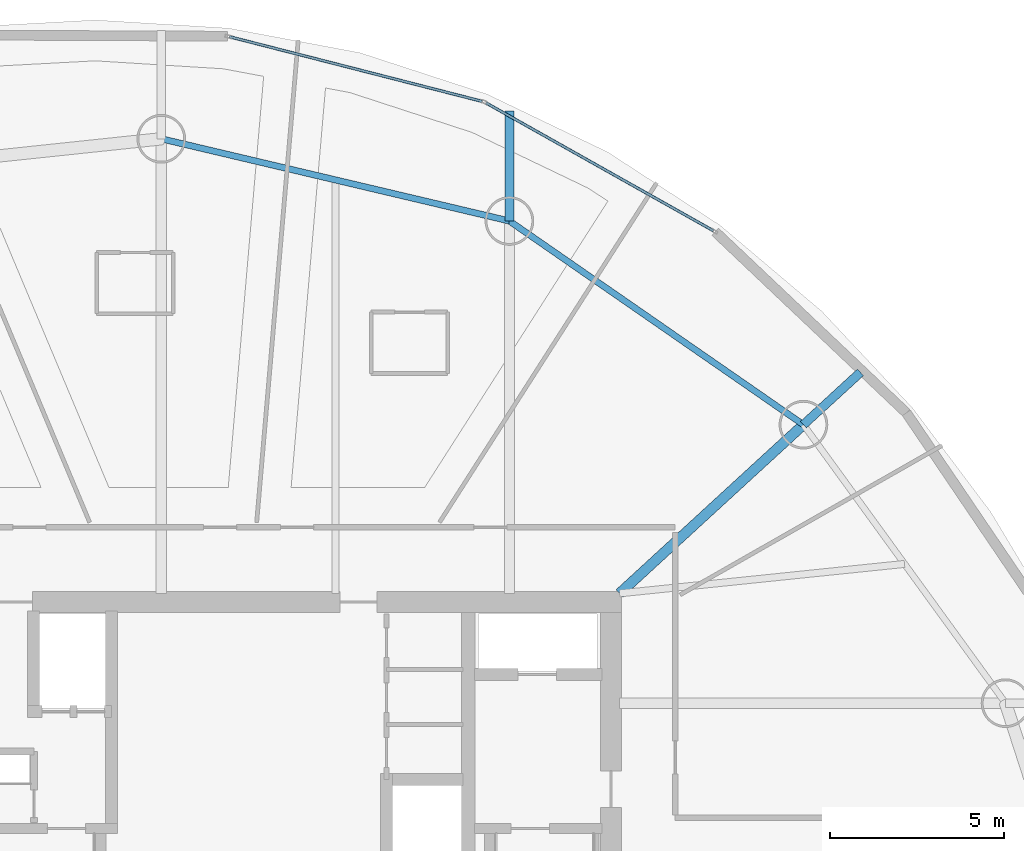
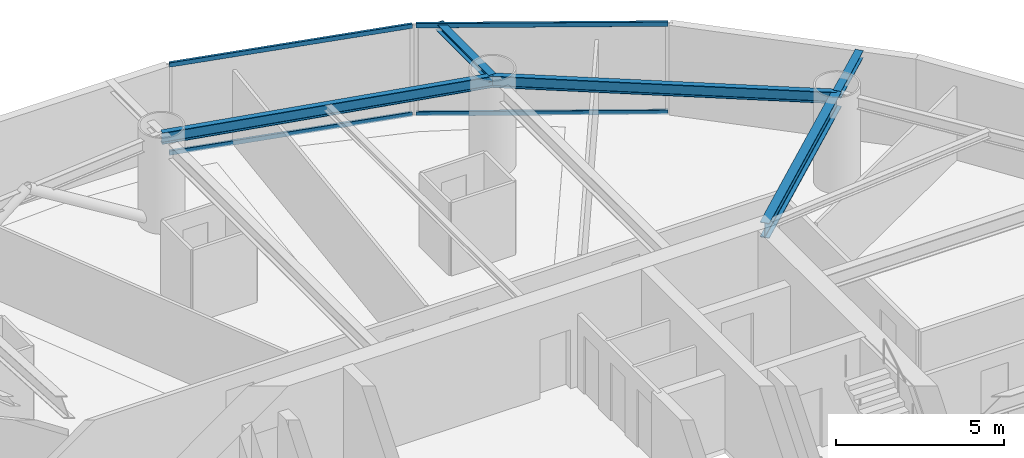
# One storey, part 13 of 22: 5 beams, 4 members, 2 elements without a shape of their own.
"""IFC4 building model written with IfcOpenShell, lengths in metres."""

import ifcopenshell
import ifcopenshell.guid

model = None  # the IFC model being written
_history = None  # IfcOwnerHistory: only IFC2X3 demands one
_inside = {}  # id of a spatial element -> (the spatial element, [elements in it])
_under = {}  # id of a project, library or spatial element -> (it, [spatial elements below it])
_declared = {}  # id of a project -> (the project, [libraries it declares])
_typed = {}  # id of a type object -> (the type object, [elements of that type])
_made_of = {}  # id of a material, layer set ... -> (it, [elements and type objects made of it])


def new_model(schema):
    """Start an empty IFC model of exactly this schema.

    Asked for "IFC4X3", IfcOpenShell would pick the latest addendum, in which some entities
    have other attributes; the version numbers below select the first issue.
    IFC2X3 requires an IfcOwnerHistory on every rooted entity: one is made here for all.
    """
    global model, _history
    if schema == "IFC4X3":
        model = ifcopenshell.file(schema_version=(4, 3, 0, 0))
    else:
        model = ifcopenshell.file(schema=schema)
    _inside.clear()
    _under.clear()
    _declared.clear()
    _typed.clear()
    _made_of.clear()
    _history = None
    if model.schema == "IFC2X3":
        org = make("IfcOrganization", Name="unknown")
        user = make(
            "IfcPersonAndOrganization",
            ThePerson=make("IfcPerson", FamilyName="unknown"),
            TheOrganization=org,
        )
        app = make(
            "IfcApplication",
            ApplicationDeveloper=org,
            Version="unknown",
            ApplicationFullName="unknown",
            ApplicationIdentifier="unknown",
        )
        _history = make(
            "IfcOwnerHistory",
            OwningUser=user,
            OwningApplication=app,
            ChangeAction="ADDED",
            CreationDate=0,
        )
    return model


def make(cls, **values):
    """One entity of the class cls with the attributes given. An attribute that is None is left unset."""
    return model.create_entity(
        cls, **{name: value for name, value in values.items() if value is not None}
    )


def rooted(cls, **values):
    """An entity with a GlobalId (a new one), such as an element, a storey or a relation."""
    return make(cls, GlobalId=ifcopenshell.guid.new(), OwnerHistory=_history, **values)


def si_unit(unit_type, name, prefix=None):
    """IfcSIUnit, for example si_unit("LENGTHUNIT", "METRE", prefix="MILLI")."""
    return make("IfcSIUnit", UnitType=unit_type, Prefix=prefix, Name=name)


def assignment(units):
    """IfcUnitAssignment: the units of a project."""
    return None if units is None else make("IfcUnitAssignment", Units=units)


def point(xyz):
    """IfcCartesianPoint."""
    return None if xyz is None else make("IfcCartesianPoint", Coordinates=xyz)


def direction(xyz):
    """IfcDirection."""
    return None if xyz is None else make("IfcDirection", DirectionRatios=xyz)


def frame(location, z_axis=None, x_axis=None):
    """IfcAxis2Placement3D, a coordinate frame: its origin and axes. An axis left out is left unset."""
    return make(
        "IfcAxis2Placement3D",
        Location=point(location),
        Axis=direction(z_axis),
        RefDirection=direction(x_axis),
    )


def frame_2d(location, x_axis=None):
    """IfcAxis2Placement2D, a coordinate frame in the plane: its origin and x axis."""
    return make(
        "IfcAxis2Placement2D", Location=point(location), RefDirection=direction(x_axis)
    )


def origin():
    """The frame at (0, 0, 0) with its axes left unset."""
    return frame((0.0, 0.0, 0.0))


def origin_2d():
    """The frame at (0, 0) in the plane with its x axis left unset."""
    return frame_2d((0.0, 0.0))


def place(relative_to, where):
    """IfcLocalPlacement: puts the frame where relative to a parent placement (None: the world)."""
    return make(
        "IfcLocalPlacement", PlacementRelTo=relative_to, RelativePlacement=where
    )


def context(
    kind, dimensions, precision=None, world=None, true_north=None, identifier=None
):
    """IfcGeometricRepresentationContext, for example the 3D "Model" context."""
    return make(
        "IfcGeometricRepresentationContext",
        ContextIdentifier=identifier,
        ContextType=kind,
        CoordinateSpaceDimension=dimensions,
        Precision=precision,
        WorldCoordinateSystem=world,
        TrueNorth=true_north,
    )


def subcontext(parent, identifier, kind, view, scale=None):
    """IfcGeometricRepresentationSubContext, for example "Body" below "Model"."""
    return make(
        "IfcGeometricRepresentationSubContext",
        ContextIdentifier=identifier,
        ContextType=kind,
        ParentContext=parent,
        TargetScale=scale,
        TargetView=view,
    )


def project(units=None, contexts=None):
    """IfcProject with its units and contexts."""
    return rooted(
        "IfcProject",
        Name="project",
        RepresentationContexts=contexts,
        UnitsInContext=assignment(units),
    )


def spatial(cls, under=None, at=None, **own):
    """A site, building, storey or space (cls), placed at a placement, below another one or the project."""
    s = rooted(cls, ObjectPlacement=at, **own)
    if under is not None:
        _under.setdefault(under.id(), (under, []))[1].append(s)
    return s


def profile(cls, at=None, kind="AREA", **sizes):
    """A parametric profile (cls). Its sizes go by their IFC names, for example OverallWidth=200.0."""
    return make(cls, ProfileType=kind, Position=at, **sizes)


def hollow_rectangle(**sizes):
    """IfcRectangleHollowProfileDef."""
    return profile("IfcRectangleHollowProfileDef", **sizes)


def i_section(**sizes):
    """IfcIShapeProfileDef."""
    return profile("IfcIShapeProfileDef", **sizes)


def extrude(swept, where, along, depth):
    """IfcExtrudedAreaSolid: the profile swept, set in the frame where, extruded along a direction by depth."""
    return make(
        "IfcExtrudedAreaSolid",
        SweptArea=swept,
        Position=where,
        ExtrudedDirection=direction(along),
        Depth=depth,
    )


def shape(context_of_items, identifier, shape_type, items):
    """IfcShapeRepresentation: the items that make up one representation, for example the "Body"."""
    return make(
        "IfcShapeRepresentation",
        ContextOfItems=context_of_items,
        RepresentationIdentifier=identifier,
        RepresentationType=shape_type,
        Items=items,
    )


def material(Name=None, Category=None):
    """IfcMaterial."""
    return make("IfcMaterial", Name=Name, Category=Category)


def layer(
    of_material, thickness, ventilated=None, Name=None, Category=None, Priority=None
):
    """IfcMaterialLayer: one layer of a wall or slab, of a material (None: an air gap)."""
    return make(
        "IfcMaterialLayer",
        Material=of_material,
        LayerThickness=thickness,
        IsVentilated=ventilated,
        Name=Name,
        Category=Category,
        Priority=Priority,
    )


def layer_set(layers, Name=None):
    """IfcMaterialLayerSet."""
    return make("IfcMaterialLayerSet", MaterialLayers=layers, LayerSetName=Name)


def material_profile(
    of_material, cross_section, Name=None, Category=None, Priority=None
):
    """IfcMaterialProfile: a cross section and its material."""
    return make(
        "IfcMaterialProfile",
        Name=Name,
        Material=of_material,
        Profile=cross_section,
        Priority=Priority,
        Category=Category,
    )


def profile_set(profiles, Name=None, composite=None):
    """IfcMaterialProfileSet."""
    return make(
        "IfcMaterialProfileSet",
        Name=Name,
        MaterialProfiles=profiles,
        CompositeProfile=composite,
    )


def made_of(thing, what):
    """Note that an element or type object is made of a material, layer set ...; save() writes the relation."""
    if what is not None:
        _made_of.setdefault(what.id(), (what, []))[1].append(thing)
    return thing


def type_object(cls, material=None, **own):
    """A type object (cls), such as IfcWallType, which elements share."""
    return made_of(rooted(cls, **own), material)


def element(
    cls,
    number,
    at=None,
    inside=None,
    cuts=None,
    type_object=None,
    material=None,
    context=None,
    identifier="Body",
    shape_type=None,
    held_by="IfcProductDefinitionShape",
    body=None,
    shapes=None,
    **own,
):
    """One element of the class cls, such as IfcWall. Its Tag is "e" and its number.

    at: its placement. inside: the storey or other place that contains it. cuts: it is an
    opening in that element (IfcRelVoidsElement). A single representation is given by context,
    identifier, shape_type and body (its items); several are given by shapes. held_by: the class
    of the entity that holds the representations. save() writes the other relations.
    """
    e = rooted(cls, Tag="e%d" % number, ObjectPlacement=at, **own)
    if body is not None:
        shapes = [shape(context, identifier, shape_type, body)]
    if shapes is not None:
        e.Representation = make(held_by, Representations=shapes)
    if inside is not None:
        _inside.setdefault(inside.id(), (inside, []))[1].append(e)
    if cuts is not None:
        rooted(
            "IfcRelVoidsElement", RelatingBuildingElement=cuts, RelatedOpeningElement=e
        )
    if type_object is not None:
        _typed.setdefault(type_object.id(), (type_object, []))[1].append(e)
    return made_of(e, material)


def aggregate(whole, parts):
    """IfcRelAggregates: a whole, such as a stair, and the parts it consists of."""
    return rooted("IfcRelAggregates", RelatingObject=whole, RelatedObjects=parts)


def save(model, path):
    """Write the relations noted so far, then the file.

    IfcRelAggregates (storeys below a building ...), IfcRelContainedInSpatialStructure (elements
    in a storey), IfcRelDefinesByType, IfcRelAssociatesMaterial and IfcRelDeclares: one each for
    every whole, place, type object, material and project.
    """
    for whole, parts in _under.values():
        aggregate(whole, parts)
    for where, things in _inside.values():
        rooted(
            "IfcRelContainedInSpatialStructure",
            RelatedElements=things,
            RelatingStructure=where,
        )
    for kind, things in _typed.values():
        rooted("IfcRelDefinesByType", RelatedObjects=things, RelatingType=kind)
    for what, things in _made_of.values():
        rooted("IfcRelAssociatesMaterial", RelatedObjects=things, RelatingMaterial=what)
    for by, libraries in _declared.values():
        rooted("IfcRelDeclares", RelatingContext=by, RelatedDefinitions=libraries)
    model.write(path)


model = new_model("IFC4")

# Units and contexts
model_context = context("Model", 3, precision=1e-05, world=origin(), true_north=direction((0.0, 1.0)))
body_context = subcontext(model_context, "Body", "Model", "MODEL_VIEW")
ifc_project = project(units=[si_unit("LENGTHUNIT", "METRE"), si_unit("AREAUNIT", "SQUARE_METRE"), si_unit("VOLUMEUNIT", "CUBIC_METRE"), si_unit("PLANEANGLEUNIT", "RADIAN"), si_unit("MASSUNIT", "GRAM", prefix="KILO")], contexts=[model_context])

# Site, building, storey
site_placement = place(None, origin())
site = spatial("IfcSite", under=ifc_project, at=site_placement, CompositionType="ELEMENT")
building_placement = place(site_placement, origin())
building = spatial("IfcBuilding", under=site, at=building_placement, Name="Bramvorn Convention Spire", CompositionType="ELEMENT")
storey_placement = place(building_placement, frame((0.0, 0.0, 120.300048828125)))
storey = spatial("IfcBuildingStorey", under=building, at=storey_placement, Name="L29", CompositionType="ELEMENT", Elevation=120.300048828125)

# Beams
ifc_material_1 = material(Name="Steel CSA G40.21 Grade 350 (350W)", Category="steel")
ifc_material_profile_1 = material_profile(ifc_material_1, i_section(OverallWidth=0.25390625, OverallDepth=0.2529296875, WebThickness=0.008544921875, FlangeThickness=0.01416015625, FilletRadius=0.011962890625, at=origin_2d()))
ifc_profile_set_1 = profile_set([ifc_material_profile_1], Name="Steel CSA G40.21 Grade 350 (350W) - W250X73")
beam_type_1 = type_object("IfcBeamType", Name="BM-W250X73", PredefinedType="BEAM", material=ifc_profile_set_1)
beam_1_placement = place(storey_placement, frame((54.534912109375, 38.299072265625, 3.133544921875), z_axis=(0.736857908807, 0.676047647898, 0.0), x_axis=(-0.676047647898, 0.736857908807, 0.0)))
element("IfcBeam", 1, at=beam_1_placement, inside=storey, type_object=beam_type_1, Name="L29 slab-edge cantilever tip beam MC04", PredefinedType="BEAM", context=body_context, shape_type="SweptSolid", body=[
    extrude(i_section(OverallWidth=0.25390625, OverallDepth=0.2529296875, WebThickness=0.008544921875, FlangeThickness=0.01416015625, FilletRadius=0.011962890625, at=origin_2d()), origin(), (0.0, 0.0, 1.0), 2.22412109375),
])
beam_2_placement = place(storey_placement, frame((46.082763671875, 44.154052734375, 3.133544921875), z_axis=(0.0, 1.0, 0.0), x_axis=(-1.0, 0.0, 0.0)))
element("IfcBeam", 2, at=beam_2_placement, inside=storey, type_object=beam_type_1, Name="L29 slab-edge cantilever tip beam MC05", PredefinedType="BEAM", context=body_context, shape_type="SweptSolid", body=[
    extrude(i_section(OverallWidth=0.25390625, OverallDepth=0.2529296875, WebThickness=0.008544921875, FlangeThickness=0.01416015625, FilletRadius=0.011962890625, at=origin_2d()), origin(), (0.0, 0.0, 1.0), 3.1689453125),
])
ifc_material_profile_2 = material_profile(ifc_material_1, i_section(OverallWidth=0.180908203125, OverallDepth=0.4169921875, WebThickness=0.010986328125, FlangeThickness=0.018310546875, FilletRadius=0.01611328125, at=origin_2d()))
ifc_profile_set_2 = profile_set([ifc_material_profile_2], Name="Steel CSA G40.21 Grade 350 (350W) - W410X85")
beam_type_2 = type_object("IfcBeamType", Name="BM-W410X85", PredefinedType="JOIST", material=ifc_profile_set_2)
beam_3_placement = place(storey_placement, frame((54.534912109375, 38.299072265625, 3.051513671875), z_axis=(-0.822033166673, 0.569439613032, 0.0), x_axis=(-0.569439613032, -0.822033166673, 0.0)))
element("IfcBeam", 3, at=beam_3_placement, inside=storey, type_object=beam_type_2, Name="L29 mega-column ring beam 04", PredefinedType="JOIST", context=body_context, shape_type="SweptSolid", body=[
    extrude(i_section(OverallWidth=0.180908203125, OverallDepth=0.4169921875, WebThickness=0.010986328125, FlangeThickness=0.018310546875, FilletRadius=0.01611328125, at=origin_2d()), origin(), (0.0, 0.0, 1.0), 10.281982421875),
])
beam_4_placement = place(storey_placement, frame((46.082763671875, 44.154052734375, 3.051513671875), z_axis=(-0.97322750491, 0.229843911572, 0.0), x_axis=(-0.229843911572, -0.97322750491, 0.0)))
element("IfcBeam", 4, at=beam_4_placement, inside=storey, type_object=beam_type_2, Name="L29 mega-column ring beam 05", PredefinedType="JOIST", context=body_context, shape_type="SweptSolid", body=[
    extrude(i_section(OverallWidth=0.180908203125, OverallDepth=0.4169921875, WebThickness=0.010986328125, FlangeThickness=0.018310546875, FilletRadius=0.01611328125, at=origin_2d()), origin(), (0.0, 0.0, 1.0), 10.2822265625),
])
ifc_material_profile_3 = material_profile(ifc_material_1, i_section(OverallWidth=0.2919921875, OverallDepth=0.551025390625, WebThickness=0.01513671875, FlangeThickness=0.0244140625, FilletRadius=0.01904296875, at=origin_2d()))
ifc_profile_set_3 = profile_set([ifc_material_profile_3], Name="Steel CSA G40.21 Grade 350 (350W) - W530X182")
beam_type_3 = type_object("IfcBeamType", Name="BM-W530X182", PredefinedType="BEAM", material=ifc_profile_set_3)
beam_5_placement = place(storey_placement, frame((49.25, 33.449951171875, 2.984375), z_axis=(0.736833323746, 0.676074443399, 0.0), x_axis=(-0.676074443399, 0.736833323746, 0.0)))
element("IfcBeam", 5, at=beam_5_placement, inside=storey, type_object=beam_type_3, Name="L29 radial floor girder MC04", PredefinedType="BEAM", context=body_context, shape_type="SweptSolid", body=[
    extrude(i_section(OverallWidth=0.2919921875, OverallDepth=0.551025390625, WebThickness=0.01513671875, FlangeThickness=0.0244140625, FilletRadius=0.01904296875, at=origin_2d()), origin(), (0.0, 0.0, 1.0), 7.17236328125),
])

# Curtain wall, members
ifc_material_2 = material(Name="Anodised Bronze Unitised Curtain Wall", Category="aluminium")
ifc_layer = layer(ifc_material_2, 0.179931640625)
ifc_layer_set = layer_set([ifc_layer], Name="Anodised Bronze Unitised Curtain Wall - CW-HTL-FRIT")
curtain_wall_type = type_object("IfcCurtainWallType", Name="CW-HTL-FRIT", PredefinedType="USERDEFINED", material=ifc_layer_set)
curtain_wall_1_placement = place(storey_placement, origin())
curtain_wall_1 = element("IfcCurtainWall", 6, at=curtain_wall_1_placement, inside=storey, type_object=curtain_wall_type, Name="L29 fritted glass curtain wall 06", ObjectType="UNITISED CURTAIN WALL", PredefinedType="USERDEFINED")
ifc_material_3 = material(Name="Anodised Bronze Aluminium 6063-T6", Category="aluminium")
ifc_material_profile_4 = material_profile(ifc_material_3, hollow_rectangle(XDim=0.080078125, YDim=0.159912109375, WallThickness=0.00390625, InnerFilletRadius=0.0009765625, OuterFilletRadius=0.00390625, at=origin_2d()))
ifc_profile_set_4 = profile_set([ifc_material_profile_4], Name="Anodised Bronze Aluminium 6063-T6 - CWT80X160")
member_type = type_object("IfcMemberType", Name="CW-TRN-150", PredefinedType="USERDEFINED", material=ifc_profile_set_4)
member_1_placement = place(storey_placement, frame((45.41162109375, 47.548095703125, 0.030029296875), z_axis=(0.871666832415, -0.490098901516, 0.0), x_axis=(0.490098901516, 0.871666832415, 0.0)))
member_1 = element("IfcMember", 7, at=member_1_placement, type_object=member_type, Name="CW2 transom 1.1", ObjectType="TRANSOM", PredefinedType="USERDEFINED", context=body_context, shape_type="SweptSolid", body=[
    extrude(hollow_rectangle(XDim=0.080078125, YDim=0.159912109375, WallThickness=0.00390625, InnerFilletRadius=0.0009765625, OuterFilletRadius=0.00390625, at=origin_2d()), origin(), (0.0, 0.0, 1.0), 7.49755859375),
])
member_2_placement = place(storey_placement, frame((45.41162109375, 47.548095703125, 3.22998046875), z_axis=(0.871666832415, -0.490098901516, 0.0), x_axis=(0.490098901516, 0.871666832415, 0.0)))
member_2 = element("IfcMember", 8, at=member_2_placement, type_object=member_type, Name="CW2 transom 1.2", ObjectType="TRANSOM", PredefinedType="USERDEFINED", context=body_context, shape_type="SweptSolid", body=[
    extrude(hollow_rectangle(XDim=0.080078125, YDim=0.159912109375, WallThickness=0.00390625, InnerFilletRadius=0.0009765625, OuterFilletRadius=0.00390625, at=origin_2d()), origin(), (0.0, 0.0, 1.0), 7.49755859375),
])
aggregate(curtain_wall_1, [member_1, member_2])

curtain_wall_2_placement = place(storey_placement, origin())
curtain_wall_2 = element("IfcCurtainWall", 9, at=curtain_wall_2_placement, inside=storey, type_object=curtain_wall_type, Name="L29 fritted glass curtain wall 07", ObjectType="UNITISED CURTAIN WALL", PredefinedType="USERDEFINED")
member_3_placement = place(storey_placement, frame((38.037841796875, 49.450927734375, 0.030029296875), z_axis=(0.968784883179, -0.24790290463, 0.0), x_axis=(0.24790290463, 0.968784883179, 0.0)))
member_3 = element("IfcMember", 10, at=member_3_placement, type_object=member_type, Name="CW2 transom 1.1", ObjectType="TRANSOM", PredefinedType="USERDEFINED", context=body_context, shape_type="SweptSolid", body=[
    extrude(hollow_rectangle(XDim=0.080078125, YDim=0.159912109375, WallThickness=0.00390625, InnerFilletRadius=0.0009765625, OuterFilletRadius=0.00390625, at=origin_2d()), origin(), (0.0, 0.0, 1.0), 7.49755859375),
])
member_4_placement = place(storey_placement, frame((38.037841796875, 49.450927734375, 3.22998046875), z_axis=(0.968784883179, -0.24790290463, 0.0), x_axis=(0.24790290463, 0.968784883179, 0.0)))
member_4 = element("IfcMember", 11, at=member_4_placement, type_object=member_type, Name="CW2 transom 1.2", ObjectType="TRANSOM", PredefinedType="USERDEFINED", context=body_context, shape_type="SweptSolid", body=[
    extrude(hollow_rectangle(XDim=0.080078125, YDim=0.159912109375, WallThickness=0.00390625, InnerFilletRadius=0.0009765625, OuterFilletRadius=0.00390625, at=origin_2d()), origin(), (0.0, 0.0, 1.0), 7.49755859375),
])
aggregate(curtain_wall_2, [member_3, member_4])

save(model, "model.ifc")
